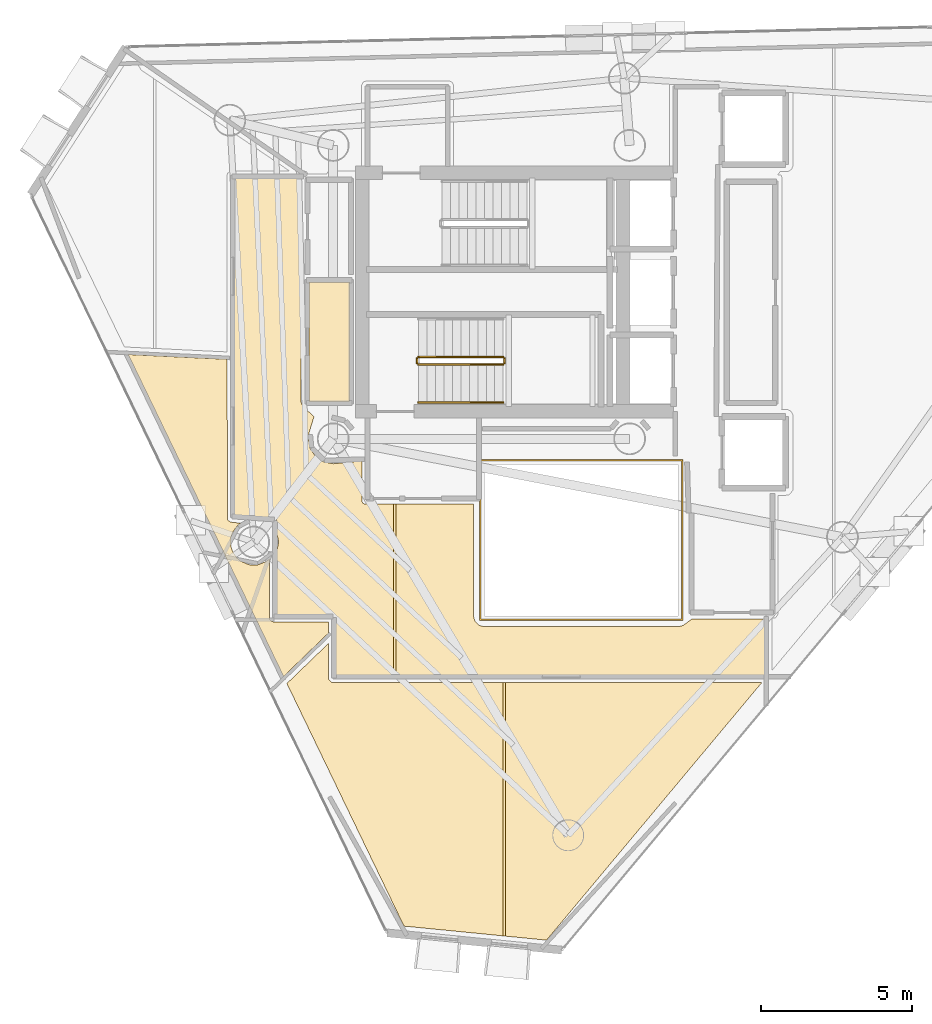
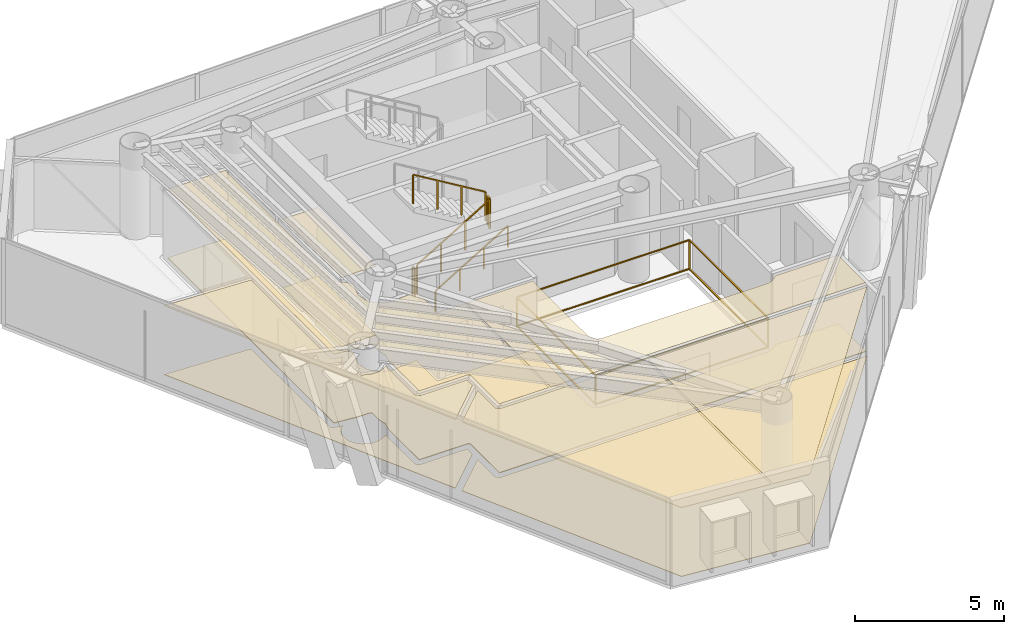
# One storey, part 17 of 20: 10 coverings, 6 railings.
"""IFC4 building model written with IfcOpenShell, lengths in metres."""

from ifc_helpers import new_model, si_unit, direction, frame, origin, origin_2d, place, context, subcontext, project, spatial, polyline, rectangle, outline, extrude, material, layer, layer_set, type_object, element, save


model = new_model("IFC4")

# Units and contexts
model_context = context("Model", 3, precision=1e-05, world=origin(), true_north=direction((0.0, 1.0)))
body_context = subcontext(model_context, "Body", "Model", "MODEL_VIEW")
ifc_project = project(units=[si_unit("LENGTHUNIT", "METRE"), si_unit("AREAUNIT", "SQUARE_METRE"), si_unit("VOLUMEUNIT", "CUBIC_METRE"), si_unit("PLANEANGLEUNIT", "RADIAN"), si_unit("MASSUNIT", "GRAM", prefix="KILO")], contexts=[model_context])

# Site, building, storey
site_placement = place(None, origin())
site = spatial("IfcSite", under=ifc_project, at=site_placement, CompositionType="ELEMENT")
building_placement = place(site_placement, origin())
building = spatial("IfcBuilding", under=site, at=building_placement, Name="Qianvela Tower", CompositionType="ELEMENT")
storey_placement = place(building_placement, frame((0.0, 0.0, 257.5)))
storey = spatial("IfcBuildingStorey", under=building, at=storey_placement, Name="L66", CompositionType="ELEMENT", Elevation=257.5)

# Coverings
ifc_material_1 = material(Name="Perforated Mineral Acoustic Ceiling Tile")
ifc_layer_1 = layer(ifc_material_1, 0.02490234375)
ifc_layer_set_1 = layer_set([ifc_layer_1], Name="Perforated Mineral Acoustic Ceiling Tile")
covering_type_1 = type_object("IfcCoveringType", Name="COV-CEIL-ACOUSTIC-25", PredefinedType="CEILING", material=ifc_layer_set_1)
covering_1_placement = place(storey_placement, frame((0.0, 0.0, 2.81494140625)))
element("IfcCovering", 1, at=covering_1_placement, inside=storey, type_object=covering_type_1, Name="L66 Acoustic Ceiling L66 Core Tea Pantry West", PredefinedType="CEILING", context=body_context, shape_type="SweptSolid", body=[
    extrude(outline(polyline([(27.800048828125, 25.080078125), (27.800048828125, 29.0400390625), (29.139892578125, 29.0400390625), (29.139892578125, 25.080078125), (27.800048828125, 25.080078125)])), origin(), (0.0, 0.0, 1.0), 0.025146484375),
])
covering_2_placement = place(storey_placement, frame((0.0, 0.0, 2.81494140625)))
element("IfcCovering", 2, at=covering_2_placement, inside=storey, type_object=covering_type_1, Name="L66 Acoustic Ceiling Bay 1 L66 Floor Corridor", PredefinedType="CEILING", context=body_context, shape_type="SweptSolid", body=[
    extrude(outline(polyline([(27.791015625, 24.010986328125), (27.789794921875, 24.003173828125), (27.775390625, 23.85791015625), (27.77490234375, 23.85009765625), (27.775390625, 23.84228515625), (27.776611328125, 23.83447265625), (27.833251953125, 23.54931640625), (27.835205078125, 23.541748046875), (27.837890625, 23.5341796875), (27.84130859375, 23.527099609375), (27.84521484375, 23.5205078125), (28.006591796875, 23.27880859375), (28.011474609375, 23.2724609375), (28.0166015625, 23.2666015625), (28.0224609375, 23.261474609375), (28.02880859375, 23.256591796875), (28.2705078125, 23.09521484375), (28.277099609375, 23.09130859375), (28.2841796875, 23.087890625), (28.291748046875, 23.085205078125), (28.29931640625, 23.083251953125), (28.58447265625, 23.026611328125), (28.59228515625, 23.025390625), (28.60009765625, 23.02490234375), (28.60791015625, 23.025390625), (29.55810546875, 23.118896484375), (29.55810546875, 21.780029296875), (29.558349609375, 21.772216796875), (29.5595703125, 21.764404296875), (29.561279296875, 21.7568359375), (29.564208984375, 21.74951171875), (29.5673828125, 21.7421875), (29.571533203125, 21.735595703125), (29.576171875, 21.729248046875), (29.581298828125, 21.723388671875), (29.587158203125, 21.71826171875), (29.593505859375, 21.71337890625), (29.600341796875, 21.70947265625), (29.607421875, 21.7060546875), (29.61474609375, 21.703369140625), (29.622314453125, 21.701416015625), (29.630126953125, 21.700439453125), (29.637939453125, 21.699951171875), (30.5888671875, 21.699951171875), (30.5888671875, 16.030029296875), (28.679931640625, 16.030029296875), (28.679931640625, 17.949951171875), (28.6796875, 17.957763671875), (28.678466796875, 17.965576171875), (28.676513671875, 17.97314453125), (28.673828125, 17.980712890625), (28.670654296875, 17.98779296875), (28.66650390625, 17.994384765625), (28.661865234375, 18.000732421875), (28.656494140625, 18.006591796875), (28.65087890625, 18.01171875), (28.644287109375, 18.0166015625), (28.6376953125, 18.0205078125), (28.630615234375, 18.02392578125), (28.623291015625, 18.026611328125), (28.615478515625, 18.028564453125), (28.60791015625, 18.029541015625), (28.60009765625, 18.030029296875), (26.72998046875, 18.030029296875), (26.72998046875, 20.123779296875), (26.795166015625, 20.419921875), (26.79638671875, 20.42822265625), (26.797119140625, 20.43701171875), (26.79638671875, 20.44580078125), (26.795166015625, 20.4541015625), (26.72998046875, 20.75), (26.72998046875, 21.14990234375), (26.7294921875, 21.15771484375), (26.728515625, 21.16552734375), (26.7265625, 21.173095703125), (26.723876953125, 21.1806640625), (26.720703125, 21.187744140625), (26.716552734375, 21.1943359375), (26.7119140625, 21.20068359375), (26.70654296875, 21.20654296875), (26.70068359375, 21.2119140625), (26.6943359375, 21.216552734375), (26.687744140625, 21.220703125), (26.6806640625, 21.223876953125), (26.673095703125, 21.2265625), (26.66552734375, 21.228515625), (26.65771484375, 21.2294921875), (26.64990234375, 21.22998046875), (26.18017578125, 21.22998046875), (25.330078125, 21.32470703125), (25.330078125, 32.469970703125), (27.5400390625, 32.469970703125), (27.5400390625, 25.066650390625), (27.540283203125, 25.05908203125), (27.54150390625, 25.051513671875), (27.543212890625, 25.044189453125), (27.545654296875, 25.037109375), (27.548583984375, 25.0302734375), (27.604736328125, 24.919921875), (27.6083984375, 24.91357421875), (27.612548828125, 24.90771484375), (27.6171875, 24.902099609375), (27.622314453125, 24.89697265625), (27.965087890625, 24.58642578125), (27.792724609375, 24.0185546875), (27.791015625, 24.010986328125)])), origin(), (0.0, 0.0, 1.0), 0.025146484375),
])
covering_3_placement = place(storey_placement, frame((0.0, 0.0, 2.81494140625)))
element("IfcCovering", 3, at=covering_3_placement, inside=storey, type_object=covering_type_1, Name="L66 Acoustic Ceiling Bay 2 L66 Floor Corridor", PredefinedType="CEILING", context=body_context, shape_type="SweptSolid", body=[
    extrude(outline(polyline([(33.239990234375, 21.699951171875), (33.239990234375, 18.0), (33.240478515625, 17.990234375), (33.242431640625, 17.980712890625), (33.275390625, 17.8486328125), (33.277587890625, 17.841796875), (33.2802734375, 17.8349609375), (33.283447265625, 17.82861328125), (33.287353515625, 17.822509765625), (33.29150390625, 17.81689453125), (33.29638671875, 17.811279296875), (33.411376953125, 17.696533203125), (33.41796875, 17.690673828125), (33.4248046875, 17.685791015625), (33.432373046875, 17.681396484375), (33.440185546875, 17.677978515625), (33.448486328125, 17.675537109375), (33.58056640625, 17.642333984375), (33.5869140625, 17.64111328125), (33.593505859375, 17.640380859375), (33.60009765625, 17.639892578125), (40.0, 17.639892578125), (40.006591796875, 17.640380859375), (40.012939453125, 17.64111328125), (40.019287109375, 17.642333984375), (40.1513671875, 17.675537109375), (40.15869140625, 17.677734375), (40.166015625, 17.6806640625), (40.172607421875, 17.68408203125), (40.17919921875, 17.6884765625), (40.459228515625, 17.89306640625), (42.8701171875, 17.89990234375), (42.8701171875, 16.030029296875), (30.6689453125, 16.030029296875), (30.6689453125, 21.699951171875), (33.239990234375, 21.699951171875)])), origin(), (0.0, 0.0, 1.0), 0.025146484375),
])
covering_4_placement = place(storey_placement, frame((0.0, 0.0, 2.81494140625)))
element("IfcCovering", 4, at=covering_4_placement, inside=storey, type_object=covering_type_1, Name="L66 Acoustic Ceiling Tutorial Breakout Seminar L66-01", PredefinedType="CEILING", context=body_context, shape_type="SweptSolid", body=[
    extrude(outline(polyline([(25.202880859375, 21.103515625), (25.209716796875, 21.10009765625), (25.217041015625, 21.097412109375), (25.224609375, 21.09521484375), (25.232421875, 21.093994140625), (25.531494140625, 21.060791015625), (25.43701171875, 20.983154296875), (25.43115234375, 20.977783203125), (25.42578125, 20.97216796875), (25.421142578125, 20.9658203125), (25.272705078125, 20.74365234375), (25.2685546875, 20.73681640625), (25.26513671875, 20.729736328125), (25.2626953125, 20.722412109375), (25.2236328125, 20.593994140625), (25.2216796875, 20.586181640625), (25.220458984375, 20.57861328125), (25.22021484375, 20.570556640625), (25.22021484375, 20.303466796875), (25.220458984375, 20.29541015625), (25.2216796875, 20.287841796875), (25.2236328125, 20.280029296875), (25.2626953125, 20.151611328125), (25.26513671875, 20.144287109375), (25.2685546875, 20.13720703125), (25.272705078125, 20.13037109375), (25.421142578125, 19.908203125), (25.42578125, 19.90185546875), (25.43115234375, 19.89599609375), (25.43701171875, 19.890869140625), (25.540771484375, 19.8056640625), (25.547119140625, 19.80078125), (25.5537109375, 19.796875), (25.560791015625, 19.79345703125), (25.8076171875, 19.69140625), (25.815185546875, 19.688720703125), (25.82275390625, 19.686767578125), (25.83056640625, 19.685546875), (25.83837890625, 19.685302734375), (26.105712890625, 19.685302734375), (26.113525390625, 19.685546875), (26.12109375, 19.686767578125), (26.12890625, 19.688720703125), (26.13623046875, 19.69140625), (26.38330078125, 19.79345703125), (26.390380859375, 19.796875), (26.39697265625, 19.80078125), (26.4033203125, 19.8056640625), (26.489990234375, 19.876708984375), (26.489990234375, 17.949951171875), (26.490478515625, 17.942138671875), (26.491455078125, 17.934326171875), (26.493408203125, 17.9267578125), (26.49609375, 17.91943359375), (26.51953125, 17.86279296875), (26.52294921875, 17.855712890625), (26.52685546875, 17.84912109375), (26.531494140625, 17.8427734375), (26.536865234375, 17.8369140625), (26.542724609375, 17.83154296875), (26.549072265625, 17.826904296875), (26.5556640625, 17.822998046875), (26.562744140625, 17.819580078125), (26.619384765625, 17.796142578125), (26.626708984375, 17.79345703125), (26.634521484375, 17.79150390625), (26.64208984375, 17.790283203125), (26.64990234375, 17.7900390625), (28.43994140625, 17.7900390625), (28.43994140625, 17.423095703125), (26.95703125, 15.99169921875), (21.8203125, 26.636474609375), (25.09033203125, 26.478271484375), (25.10791015625, 21.202392578125), (25.1083984375, 21.194580078125), (25.109375, 21.18701171875), (25.111328125, 21.179443359375), (25.114013671875, 21.172119140625), (25.1171875, 21.165283203125), (25.12109375, 21.158447265625), (25.125732421875, 21.15234375), (25.131103515625, 21.146484375), (25.13671875, 21.14111328125), (25.142822265625, 21.13671875), (25.1494140625, 21.132568359375), (25.202880859375, 21.103515625)])), origin(), (0.0, 0.0, 1.0), 0.025146484375),
])
covering_5_placement = place(storey_placement, frame((0.0, 0.0, 2.81494140625)))
element("IfcCovering", 5, at=covering_5_placement, inside=storey, type_object=covering_type_1, Name="L66 Acoustic Ceiling Bay 1 Graduate Seminar Classroom L66-04", PredefinedType="CEILING", context=body_context, shape_type="SweptSolid", body=[
    extrude(outline(polyline([(30.939697265625, 7.73876953125), (27.06884765625, 15.76025390625), (28.440185546875, 17.083984375), (28.4404296875, 15.942138671875), (28.44091796875, 15.934326171875), (28.44189453125, 15.926513671875), (28.44384765625, 15.9189453125), (28.446533203125, 15.91162109375), (28.44970703125, 15.904296875), (28.453857421875, 15.897705078125), (28.45849609375, 15.891357421875), (28.4638671875, 15.885498046875), (28.53564453125, 15.813720703125), (28.54150390625, 15.80859375), (28.547607421875, 15.803955078125), (28.554443359375, 15.7998046875), (28.5615234375, 15.79638671875), (28.56884765625, 15.793701171875), (28.576416015625, 15.7919921875), (28.584228515625, 15.790771484375), (28.59228515625, 15.790283203125), (34.216064453125, 15.790283203125), (34.216064453125, 7.416015625), (30.939697265625, 7.73876953125)])), origin(), (0.0, 0.0, 1.0), 0.025146484375),
])
covering_6_placement = place(storey_placement, frame((0.0, 0.0, 2.81494140625)))
element("IfcCovering", 6, at=covering_6_placement, inside=storey, type_object=covering_type_1, Name="L66 Acoustic Ceiling Bay 2 Graduate Seminar Classroom L66-04", PredefinedType="CEILING", context=body_context, shape_type="SweptSolid", body=[
    extrude(outline(polyline([(35.65283203125, 7.2744140625), (34.2958984375, 7.407958984375), (34.2958984375, 15.790283203125), (42.769775390625, 15.7900390625), (35.65283203125, 7.2744140625)])), origin(), (0.0, 0.0, 1.0), 0.025146484375),
])
ifc_material_2 = material(Name="Engineered Acoustic Oak Timber Flooring", Category="wood")
ifc_layer_2 = layer(ifc_material_2, 0.02001953125)
ifc_layer_set_2 = layer_set([ifc_layer_2], Name="Engineered Acoustic Oak Timber Flooring")
covering_type_2 = type_object("IfcCoveringType", Name="COV-FLOOR-OAK-20", PredefinedType="FLOORING", material=ifc_layer_set_2)
covering_7_placement = place(storey_placement, origin())
element("IfcCovering", 7, at=covering_7_placement, inside=storey, type_object=covering_type_2, Name="L66 Finish Flooring L66 Core Tea Pantry West", PredefinedType="FLOORING", context=body_context, shape_type="SweptSolid", body=[
    extrude(outline(polyline([(27.800048828125, 25.080078125), (27.800048828125, 29.0400390625), (29.139892578125, 29.0400390625), (29.139892578125, 25.080078125), (27.800048828125, 25.080078125)])), origin(), (0.0, 0.0, 1.0), 0.02001953125),
])
covering_8_placement = place(storey_placement, origin())
element("IfcCovering", 8, at=covering_8_placement, inside=storey, type_object=covering_type_2, Name="L66 Finish Flooring Tutorial Breakout Seminar L66-01", PredefinedType="FLOORING", context=body_context, shape_type="SweptSolid", body=[
    extrude(outline(polyline([(25.202880859375, 21.103515625), (25.209716796875, 21.10009765625), (25.217041015625, 21.097412109375), (25.224609375, 21.09521484375), (25.232421875, 21.093994140625), (25.531494140625, 21.060791015625), (25.43701171875, 20.983154296875), (25.43115234375, 20.977783203125), (25.42578125, 20.97216796875), (25.421142578125, 20.9658203125), (25.272705078125, 20.74365234375), (25.2685546875, 20.73681640625), (25.26513671875, 20.729736328125), (25.2626953125, 20.722412109375), (25.2236328125, 20.593994140625), (25.2216796875, 20.586181640625), (25.220458984375, 20.57861328125), (25.22021484375, 20.570556640625), (25.22021484375, 20.303466796875), (25.220458984375, 20.29541015625), (25.2216796875, 20.287841796875), (25.2236328125, 20.280029296875), (25.2626953125, 20.151611328125), (25.26513671875, 20.144287109375), (25.2685546875, 20.13720703125), (25.272705078125, 20.13037109375), (25.421142578125, 19.908203125), (25.42578125, 19.90185546875), (25.43115234375, 19.89599609375), (25.43701171875, 19.890869140625), (25.540771484375, 19.8056640625), (25.547119140625, 19.80078125), (25.5537109375, 19.796875), (25.560791015625, 19.79345703125), (25.8076171875, 19.69140625), (25.815185546875, 19.688720703125), (25.82275390625, 19.686767578125), (25.83056640625, 19.685546875), (25.83837890625, 19.685302734375), (26.105712890625, 19.685302734375), (26.113525390625, 19.685546875), (26.12109375, 19.686767578125), (26.12890625, 19.688720703125), (26.13623046875, 19.69140625), (26.38330078125, 19.79345703125), (26.390380859375, 19.796875), (26.39697265625, 19.80078125), (26.4033203125, 19.8056640625), (26.489990234375, 19.876708984375), (26.489990234375, 17.949951171875), (26.490478515625, 17.942138671875), (26.491455078125, 17.934326171875), (26.493408203125, 17.9267578125), (26.49609375, 17.91943359375), (26.51953125, 17.86279296875), (26.52294921875, 17.855712890625), (26.52685546875, 17.84912109375), (26.531494140625, 17.8427734375), (26.536865234375, 17.8369140625), (26.542724609375, 17.83154296875), (26.549072265625, 17.826904296875), (26.5556640625, 17.822998046875), (26.562744140625, 17.819580078125), (26.619384765625, 17.796142578125), (26.626708984375, 17.79345703125), (26.634521484375, 17.79150390625), (26.64208984375, 17.790283203125), (26.64990234375, 17.7900390625), (28.43994140625, 17.7900390625), (28.43994140625, 17.423095703125), (26.95703125, 15.99169921875), (21.8203125, 26.636474609375), (25.09033203125, 26.478271484375), (25.10791015625, 21.202392578125), (25.1083984375, 21.194580078125), (25.109375, 21.18701171875), (25.111328125, 21.179443359375), (25.114013671875, 21.172119140625), (25.1171875, 21.165283203125), (25.12109375, 21.158447265625), (25.125732421875, 21.15234375), (25.131103515625, 21.146484375), (25.13671875, 21.14111328125), (25.142822265625, 21.13671875), (25.1494140625, 21.132568359375), (25.202880859375, 21.103515625)])), origin(), (0.0, 0.0, 1.0), 0.02001953125),
])
covering_9_placement = place(storey_placement, origin())
element("IfcCovering", 9, at=covering_9_placement, inside=storey, type_object=covering_type_2, Name="L66 Finish Flooring Graduate Seminar Classroom L66-04", PredefinedType="FLOORING", context=body_context, shape_type="SweptSolid", body=[
    extrude(outline(polyline([(42.769775390625, 15.7900390625), (35.65283203125, 7.2744140625), (30.939697265625, 7.73876953125), (27.06884765625, 15.76025390625), (28.440185546875, 17.083984375), (28.4404296875, 15.942138671875), (28.44091796875, 15.934326171875), (28.44189453125, 15.926513671875), (28.44384765625, 15.9189453125), (28.446533203125, 15.91162109375), (28.44970703125, 15.904296875), (28.453857421875, 15.897705078125), (28.45849609375, 15.891357421875), (28.4638671875, 15.885498046875), (28.53564453125, 15.813720703125), (28.54150390625, 15.80859375), (28.547607421875, 15.803955078125), (28.554443359375, 15.7998046875), (28.5615234375, 15.79638671875), (28.56884765625, 15.793701171875), (28.576416015625, 15.7919921875), (28.584228515625, 15.790771484375), (28.59228515625, 15.790283203125), (42.769775390625, 15.7900390625)])), origin(), (0.0, 0.0, 1.0), 0.02001953125),
])
ifc_material_3 = material(Name="Honed Stone Terrazzo Flooring", Category="masonry")
ifc_layer_3 = layer(ifc_material_3, 0.030029296875)
ifc_layer_set_3 = layer_set([ifc_layer_3], Name="Honed Stone Terrazzo Flooring")
covering_type_3 = type_object("IfcCoveringType", Name="COV-FLOOR-TERRAZZO-30", PredefinedType="FLOORING", material=ifc_layer_set_3)
covering_10_placement = place(storey_placement, origin())
element("IfcCovering", 10, at=covering_10_placement, inside=storey, type_object=covering_type_3, Name="L66 Finish Flooring L66 Floor Corridor", PredefinedType="FLOORING", context=body_context, shape_type="SweptSolid", body=[
    extrude(outline(polyline([(27.792724609375, 24.0185546875), (27.791015625, 24.010986328125), (27.789794921875, 24.003173828125), (27.775390625, 23.85791015625), (27.77490234375, 23.85009765625), (27.775390625, 23.84228515625), (27.776611328125, 23.83447265625), (27.833251953125, 23.54931640625), (27.835205078125, 23.541748046875), (27.837890625, 23.5341796875), (27.84130859375, 23.527099609375), (27.84521484375, 23.5205078125), (28.006591796875, 23.27880859375), (28.011474609375, 23.2724609375), (28.0166015625, 23.2666015625), (28.0224609375, 23.261474609375), (28.02880859375, 23.256591796875), (28.2705078125, 23.09521484375), (28.277099609375, 23.09130859375), (28.2841796875, 23.087890625), (28.291748046875, 23.085205078125), (28.29931640625, 23.083251953125), (28.58447265625, 23.026611328125), (28.59228515625, 23.025390625), (28.60009765625, 23.02490234375), (28.60791015625, 23.025390625), (29.55810546875, 23.118896484375), (29.55810546875, 21.780029296875), (29.558349609375, 21.772216796875), (29.5595703125, 21.764404296875), (29.561279296875, 21.7568359375), (29.564208984375, 21.74951171875), (29.5673828125, 21.7421875), (29.571533203125, 21.735595703125), (29.576171875, 21.729248046875), (29.581298828125, 21.723388671875), (29.587158203125, 21.71826171875), (29.593505859375, 21.71337890625), (29.600341796875, 21.70947265625), (29.607421875, 21.7060546875), (29.61474609375, 21.703369140625), (29.622314453125, 21.701416015625), (29.630126953125, 21.700439453125), (29.637939453125, 21.699951171875), (33.239990234375, 21.699951171875), (33.239990234375, 18.0), (33.240478515625, 17.990234375), (33.242431640625, 17.980712890625), (33.275390625, 17.8486328125), (33.277587890625, 17.841796875), (33.2802734375, 17.8349609375), (33.283447265625, 17.82861328125), (33.287353515625, 17.822509765625), (33.29150390625, 17.81689453125), (33.29638671875, 17.811279296875), (33.411376953125, 17.696533203125), (33.41796875, 17.690673828125), (33.4248046875, 17.685791015625), (33.432373046875, 17.681396484375), (33.440185546875, 17.677978515625), (33.448486328125, 17.675537109375), (33.58056640625, 17.642333984375), (33.5869140625, 17.64111328125), (33.593505859375, 17.640380859375), (33.60009765625, 17.639892578125), (40.0, 17.639892578125), (40.006591796875, 17.640380859375), (40.012939453125, 17.64111328125), (40.019287109375, 17.642333984375), (40.1513671875, 17.675537109375), (40.15869140625, 17.677734375), (40.166015625, 17.6806640625), (40.172607421875, 17.68408203125), (40.17919921875, 17.6884765625), (40.459228515625, 17.89306640625), (42.8701171875, 17.89990234375), (42.8701171875, 16.030029296875), (28.679931640625, 16.030029296875), (28.679931640625, 17.949951171875), (28.6796875, 17.957763671875), (28.678466796875, 17.965576171875), (28.676513671875, 17.97314453125), (28.673828125, 17.980712890625), (28.670654296875, 17.98779296875), (28.66650390625, 17.994384765625), (28.661865234375, 18.000732421875), (28.656494140625, 18.006591796875), (28.65087890625, 18.01171875), (28.644287109375, 18.0166015625), (28.6376953125, 18.0205078125), (28.630615234375, 18.02392578125), (28.623291015625, 18.026611328125), (28.615478515625, 18.028564453125), (28.60791015625, 18.029541015625), (28.60009765625, 18.030029296875), (26.72998046875, 18.030029296875), (26.72998046875, 20.123779296875), (26.795166015625, 20.419921875), (26.79638671875, 20.42822265625), (26.797119140625, 20.43701171875), (26.79638671875, 20.44580078125), (26.795166015625, 20.4541015625), (26.72998046875, 20.75), (26.72998046875, 21.14990234375), (26.7294921875, 21.15771484375), (26.728515625, 21.16552734375), (26.7265625, 21.173095703125), (26.723876953125, 21.1806640625), (26.720703125, 21.187744140625), (26.716552734375, 21.1943359375), (26.7119140625, 21.20068359375), (26.70654296875, 21.20654296875), (26.70068359375, 21.2119140625), (26.6943359375, 21.216552734375), (26.687744140625, 21.220703125), (26.6806640625, 21.223876953125), (26.673095703125, 21.2265625), (26.66552734375, 21.228515625), (26.65771484375, 21.2294921875), (26.64990234375, 21.22998046875), (26.18017578125, 21.22998046875), (25.330078125, 21.32470703125), (25.330078125, 32.469970703125), (27.5400390625, 32.469970703125), (27.5400390625, 25.066650390625), (27.540283203125, 25.05908203125), (27.54150390625, 25.051513671875), (27.543212890625, 25.044189453125), (27.545654296875, 25.037109375), (27.548583984375, 25.0302734375), (27.604736328125, 24.919921875), (27.6083984375, 24.91357421875), (27.612548828125, 24.90771484375), (27.6171875, 24.902099609375), (27.622314453125, 24.89697265625), (27.965087890625, 24.58642578125), (27.792724609375, 24.0185546875)])), origin(), (0.0, 0.0, 1.0), 0.030029296875),
])

# Railings
ifc_material_4 = material(Name="Laminated Safety Glass and Stainless Steel 316", Category="steel")
railing_type_1 = type_object("IfcRailingType", Name="RL-ATRIUM-GUARD-1250", PredefinedType="GUARDRAIL", material=ifc_material_4)
railing_1_placement = place(storey_placement, frame((33.4599609375, 17.860107421875, 0.0)))
element("IfcRailing", 11, at=railing_1_placement, inside=storey, type_object=railing_type_1, Name="L66 Atrium Edge Guardrail 1", PredefinedType="GUARDRAIL", context=body_context, shape_type="SweptSolid", body=[
    extrude(rectangle(XDim=0.050048828125, YDim=0.0400390625, at=origin_2d()), frame((0.0, 0.0, 1.22998046875), z_axis=(0.0, 1.0, 0.0), x_axis=(-1.0, 0.0, 0.0)), (0.0, 0.0, 1.0), 5.27978515625),
    extrude(rectangle(XDim=0.050048828125, YDim=0.0400390625, at=origin_2d()), frame((0.0, 0.0, 0.050048828125), z_axis=(0.0, 1.0, 0.0), x_axis=(-1.0, 0.0, 0.0)), (0.0, 0.0, 1.0), 5.27978515625),
    extrude(rectangle(XDim=0.050048828125, YDim=0.0400390625, at=origin_2d()), frame((0.0, 5.27978515625, 1.22998046875), z_axis=(1.0, 0.0, 0.0), x_axis=(0.0, 1.0, 0.0)), (0.0, 0.0, 1.0), 6.679931640625),
    extrude(rectangle(XDim=0.050048828125, YDim=0.0400390625, at=origin_2d()), frame((0.0, 5.27978515625, 0.050048828125), z_axis=(1.0, 0.0, 0.0), x_axis=(0.0, 1.0, 0.0)), (0.0, 0.0, 1.0), 6.679931640625),
    extrude(rectangle(XDim=0.050048828125, YDim=0.0400390625, at=origin_2d()), frame((6.679931640625, 5.27978515625, 1.22998046875), z_axis=(0.0, -1.0, 0.0), x_axis=(1.0, 0.0, 0.0)), (0.0, 0.0, 1.0), 5.27978515625),
    extrude(rectangle(XDim=0.050048828125, YDim=0.0400390625, at=origin_2d()), frame((6.679931640625, 5.27978515625, 0.050048828125), z_axis=(0.0, -1.0, 0.0), x_axis=(1.0, 0.0, 0.0)), (0.0, 0.0, 1.0), 5.27978515625),
    extrude(rectangle(XDim=0.050048828125, YDim=0.0400390625, at=origin_2d()), frame((6.679931640625, 0.0, 1.22998046875), z_axis=(-1.0, 0.0, 0.0), x_axis=(0.0, -1.0, 0.0)), (0.0, 0.0, 1.0), 6.679931640625),
    extrude(rectangle(XDim=0.050048828125, YDim=0.0400390625, at=origin_2d()), frame((6.679931640625, 0.0, 0.050048828125), z_axis=(-1.0, 0.0, 0.0), x_axis=(0.0, -1.0, 0.0)), (0.0, 0.0, 1.0), 6.679931640625),
    extrude(rectangle(XDim=0.050048828125, YDim=0.050048828125, at=origin_2d()), origin(), (0.0, 0.0, 1.0), 1.2099609375),
    extrude(rectangle(XDim=0.050048828125, YDim=0.050048828125, at=origin_2d()), frame((0.0, 5.27978515625, 0.0)), (0.0, 0.0, 1.0), 1.2099609375),
    extrude(rectangle(XDim=0.050048828125, YDim=0.050048828125, at=origin_2d()), frame((6.679931640625, 5.27978515625, 0.0)), (0.0, 0.0, 1.0), 1.2099609375),
    extrude(rectangle(XDim=0.050048828125, YDim=0.050048828125, at=origin_2d()), frame((6.679931640625, 0.0, 0.0)), (0.0, 0.0, 1.0), 1.2099609375),
])
ifc_material_5 = material(Name="Painted Tubular Steel Q355B", Category="steel")
railing_type_2 = type_object("IfcRailingType", Name="RL-STAIR-GUARD-1200", PredefinedType="GUARDRAIL", material=ifc_material_5)
railing_2_placement = place(storey_placement, frame((31.419921875, 26.300048828125, 0.168212890625)))
element("IfcRailing", 12, at=railing_2_placement, inside=storey, type_object=railing_type_2, Name="L66 ST-2 stair guard 1", PredefinedType="GUARDRAIL", context=body_context, shape_type="SweptSolid", body=[
    extrude(rectangle(XDim=0.050048828125, YDim=0.0400390625, at=origin_2d()), frame((0.0, 0.0, 1.179931640625), z_axis=(0.857242210791, 0.0, 0.514913383045), x_axis=(0.0, 1.0, 0.0)), (0.0, 0.0, 1.0), 3.266357421875),
    extrude(rectangle(XDim=0.050048828125, YDim=0.050048828125, at=origin_2d()), origin(), (0.0, 0.0, 1.0), 1.159912109375),
    extrude(rectangle(XDim=0.050048828125, YDim=0.050048828125, at=origin_2d()), frame((0.933349609375, 0.0, 0.560546875)), (0.0, 0.0, 1.0), 1.159912109375),
    extrude(rectangle(XDim=0.050048828125, YDim=0.050048828125, at=origin_2d()), frame((1.86669921875, 0.0, 1.121337890625)), (0.0, 0.0, 1.0), 1.159912109375),
    extrude(rectangle(XDim=0.050048828125, YDim=0.050048828125, at=origin_2d()), frame((2.800048828125, 0.0, 1.681884765625)), (0.0, 0.0, 1.0), 1.159912109375),
])
railing_3_placement = place(storey_placement, frame((34.27001953125, 26.35009765625, 1.85009765625)))
element("IfcRailing", 13, at=railing_3_placement, inside=storey, type_object=railing_type_2, Name="L66 ST-2 stair guard 2", PredefinedType="GUARDRAIL", context=body_context, shape_type="SweptSolid", body=[
    extrude(rectangle(XDim=0.050048828125, YDim=0.0400390625, at=origin_2d()), frame((0.0, 0.0, 1.179931640625), z_axis=(0.0, 1.0, 0.0), x_axis=(-1.0, 0.0, 0.0)), (0.0, 0.0, 1.0), 0.159912109375),
    extrude(rectangle(XDim=0.050048828125, YDim=0.050048828125, at=origin_2d()), origin(), (0.0, 0.0, 1.0), 1.159912109375),
    extrude(rectangle(XDim=0.050048828125, YDim=0.050048828125, at=origin_2d()), frame((0.0, 0.159912109375, 0.0)), (0.0, 0.0, 1.0), 1.159912109375),
])
railing_4_placement = place(storey_placement, frame((34.219970703125, 26.56005859375, 2.01806640625)))
element("IfcRailing", 14, at=railing_4_placement, inside=storey, type_object=railing_type_2, Name="L66 ST-2 stair guard 3", PredefinedType="GUARDRAIL", context=body_context, shape_type="SweptSolid", body=[
    extrude(rectangle(XDim=0.050048828125, YDim=0.0400390625, at=origin_2d()), frame((0.0, 0.0, 1.179931640625), z_axis=(-0.857242210791, 0.0, 0.514913383045), x_axis=(0.0, -1.0, 0.0)), (0.0, 0.0, 1.0), 3.266357421875),
    extrude(rectangle(XDim=0.050048828125, YDim=0.050048828125, at=origin_2d()), origin(), (0.0, 0.0, 1.0), 1.159912109375),
    extrude(rectangle(XDim=0.050048828125, YDim=0.050048828125, at=origin_2d()), frame((-0.933349609375, 0.0, 0.560546875)), (0.0, 0.0, 1.0), 1.159912109375),
    extrude(rectangle(XDim=0.050048828125, YDim=0.050048828125, at=origin_2d()), frame((-1.86669921875, 0.0, 1.121337890625)), (0.0, 0.0, 1.0), 1.159912109375),
    extrude(rectangle(XDim=0.050048828125, YDim=0.050048828125, at=origin_2d()), frame((-2.800048828125, 0.0, 1.681884765625)), (0.0, 0.0, 1.0), 1.159912109375),
])
railing_5_placement = place(storey_placement, frame((31.3701171875, 26.35009765625, 0.0)))
element("IfcRailing", 15, at=railing_5_placement, inside=storey, type_object=railing_type_2, Name="L66 ST-2 stair guard 4", PredefinedType="GUARDRAIL", context=body_context, shape_type="SweptSolid", body=[
    extrude(rectangle(XDim=0.050048828125, YDim=0.0400390625, at=origin_2d()), frame((0.0, 0.0, 1.179931640625), z_axis=(0.0, 1.0, 0.0), x_axis=(-1.0, 0.0, 0.0)), (0.0, 0.0, 1.0), 0.159912109375),
    extrude(rectangle(XDim=0.050048828125, YDim=0.050048828125, at=origin_2d()), origin(), (0.0, 0.0, 1.0), 1.159912109375),
    extrude(rectangle(XDim=0.050048828125, YDim=0.050048828125, at=origin_2d()), frame((0.0, 0.159912109375, 0.0)), (0.0, 0.0, 1.0), 1.159912109375),
])
ifc_material_6 = material(Name="Brushed Stainless Steel 304", Category="steel")
railing_type_3 = type_object("IfcRailingType", Name="RL-STAIR-HANDRAIL-900", PredefinedType="HANDRAIL", material=ifc_material_6)
railing_6_placement = place(storey_placement, frame((31.419921875, 25.050048828125, 0.168212890625)))
element("IfcRailing", 16, at=railing_6_placement, inside=storey, type_object=railing_type_3, Name="L66 ST-2 stair handrail 1", PredefinedType="HANDRAIL", context=body_context, shape_type="SweptSolid", body=[
    extrude(rectangle(XDim=0.050048828125, YDim=0.0400390625, at=origin_2d()), frame((0.0, 0.0, 0.8798828125), z_axis=(0.857242210791, 0.0, 0.514913383045), x_axis=(0.0, 1.0, 0.0)), (0.0, 0.0, 1.0), 3.266357421875),
    extrude(rectangle(XDim=0.050048828125, YDim=0.050048828125, at=origin_2d()), origin(), (0.0, 0.0, 1.0), 0.85986328125),
    extrude(rectangle(XDim=0.050048828125, YDim=0.050048828125, at=origin_2d()), frame((0.933349609375, 0.0, 0.560546875)), (0.0, 0.0, 1.0), 0.85986328125),
    extrude(rectangle(XDim=0.050048828125, YDim=0.050048828125, at=origin_2d()), frame((1.86669921875, 0.0, 1.121337890625)), (0.0, 0.0, 1.0), 0.85986328125),
    extrude(rectangle(XDim=0.050048828125, YDim=0.050048828125, at=origin_2d()), frame((2.800048828125, 0.0, 1.681884765625)), (0.0, 0.0, 1.0), 0.85986328125),
])

save(model, "model.ifc")
